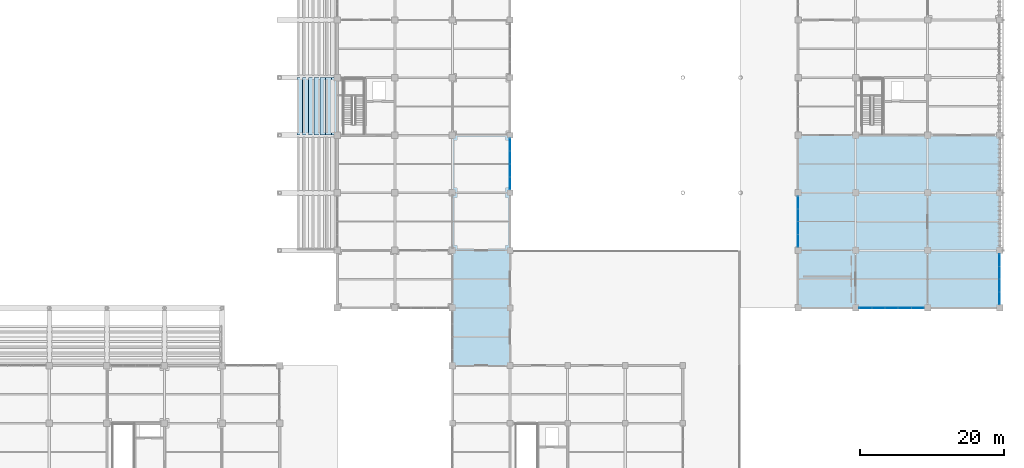
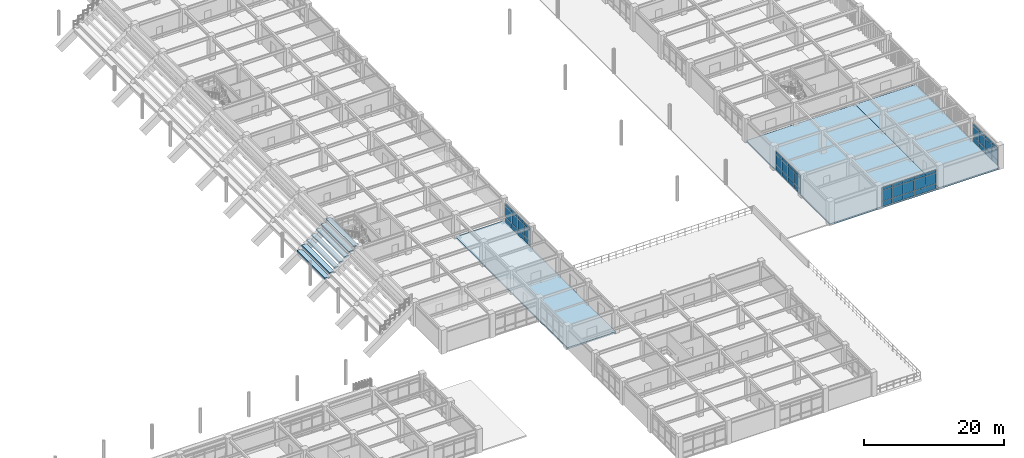
# One storey, part 74 of 118: 51 plates, 10 slabs, 4 elements without a shape of their own.
"""IFC4 building model written with IfcOpenShell, lengths in metres."""

from ifc_helpers import new_model, si_unit, direction, frame, origin, origin_2d, place, context, subcontext, project, spatial, polyline, rectangle, outline, extrude, material, layer, layer_set, type_object, element, aggregate, save


model = new_model("IFC4")

# Units and contexts
model_context = context("Model", 3, precision=1e-05, world=origin(), true_north=direction((0.0, 1.0)))
body_context = subcontext(model_context, "Body", "Model", "MODEL_VIEW")
ifc_project = project(units=[si_unit("LENGTHUNIT", "METRE"), si_unit("AREAUNIT", "SQUARE_METRE"), si_unit("VOLUMEUNIT", "CUBIC_METRE"), si_unit("PLANEANGLEUNIT", "RADIAN"), si_unit("MASSUNIT", "GRAM", prefix="KILO")], contexts=[model_context])

# Site, building, storey
site_placement = place(None, origin())
site = spatial("IfcSite", under=ifc_project, at=site_placement, CompositionType="ELEMENT")
building_placement = place(site_placement, origin())
building = spatial("IfcBuilding", under=site, at=building_placement, Name="Haebicheon Civic Stadium", CompositionType="ELEMENT")
storey_placement = place(building_placement, frame((0.0, 0.0, 14.39990234375)))
storey = spatial("IfcBuildingStorey", under=building, at=storey_placement, Name="L04", CompositionType="ELEMENT", Elevation=14.39990234375)

# Curtain wall, plates
ifc_material_1 = material(Name="Anodised aluminium and laminated glass", Category="aluminium")
ifc_layer_1 = layer(ifc_material_1, 0.179931640625, Name="Anodised aluminium and laminated glass")
ifc_layer_set_1 = layer_set([ifc_layer_1], Name="Anodised aluminium and laminated glass")
curtain_wall_type_1 = type_object("IfcCurtainWallType", Name="CW-7200x3350", PredefinedType="NOTDEFINED", material=ifc_layer_set_1)
curtain_wall_1_placement = place(storey_placement, origin())
curtain_wall_1 = element("IfcCurtainWall", 1, at=curtain_wall_1_placement, inside=storey, type_object=curtain_wall_type_1, material=ifc_layer_set_1, Name="L04 unitised curtain wall 154", PredefinedType="NOTDEFINED")
ifc_material_2 = material(Name="Double low-e acoustic laminated glass", Category="glass")
ifc_layer_2 = layer(ifc_material_2, 0.035888671875, Name="Double low-e acoustic laminated glass")
ifc_layer_set_2 = layer_set([ifc_layer_2], Name="Double low-e acoustic laminated glass")
plate_type_1 = type_object("IfcPlateType", Name="CWP-GLZ-36", PredefinedType="CURTAIN_PANEL", material=ifc_layer_set_2)
plate_1_placement = place(storey_placement, frame((168.0, 57.31689453125, 0.93505859375), z_axis=(0.0, 0.0, 1.0), x_axis=(0.0, 1.0, 0.0)))
plate_1 = element("IfcPlate", 2, at=plate_1_placement, type_object=plate_type_1, material=ifc_layer_set_2, Name="CW-L04-154 vision panel 1.2", PredefinedType="CURTAIN_PANEL", context=body_context, shape_type="SweptSolid", body=[
    extrude(rectangle(XDim=1.695068359375, YDim=0.035888671875, at=origin_2d()), origin(), (0.0, 0.0, 1.0), 1.830078125),
])
plate_2_placement = place(storey_placement, frame((168.0, 59.10009765625, 0.93505859375), z_axis=(0.0, 0.0, 1.0), x_axis=(0.0, 1.0, 0.0)))
plate_2 = element("IfcPlate", 3, at=plate_2_placement, type_object=plate_type_1, material=ifc_layer_set_2, Name="CW-L04-154 vision panel 2.2", PredefinedType="CURTAIN_PANEL", context=body_context, shape_type="SweptSolid", body=[
    extrude(rectangle(XDim=1.72998046875, YDim=0.035888671875, at=origin_2d()), origin(), (0.0, 0.0, 1.0), 1.830078125),
])
plate_3_placement = place(storey_placement, frame((168.0, 60.89990234375, 0.93505859375), z_axis=(0.0, 0.0, 1.0), x_axis=(0.0, 1.0, 0.0)))
plate_3 = element("IfcPlate", 4, at=plate_3_placement, type_object=plate_type_1, material=ifc_layer_set_2, Name="CW-L04-154 vision panel 3.2", PredefinedType="CURTAIN_PANEL", context=body_context, shape_type="SweptSolid", body=[
    extrude(rectangle(XDim=1.72998046875, YDim=0.035888671875, at=origin_2d()), origin(), (0.0, 0.0, 1.0), 1.830078125),
])
plate_4_placement = place(storey_placement, frame((168.0, 62.68310546875, 0.93505859375), z_axis=(0.0, 0.0, 1.0), x_axis=(0.0, 1.0, 0.0)))
plate_4 = element("IfcPlate", 5, at=plate_4_placement, type_object=plate_type_1, material=ifc_layer_set_2, Name="CW-L04-154 vision panel 4.2", PredefinedType="CURTAIN_PANEL", context=body_context, shape_type="SweptSolid", body=[
    extrude(rectangle(XDim=1.695068359375, YDim=0.035888671875, at=origin_2d()), origin(), (0.0, 0.0, 1.0), 1.830078125),
])

ifc_material_3 = material(Name="Anodised aluminium and laminated glass", Category="aluminium")
ifc_layer_3 = layer(ifc_material_3, 0.179931640625, Name="Anodised aluminium and laminated glass")
ifc_layer_set_3 = layer_set([ifc_layer_3], Name="Anodised aluminium and laminated glass")
curtain_wall_type_2 = type_object("IfcCurtainWallType", Name="CW-7100x3330", PredefinedType="NOTDEFINED", material=ifc_layer_set_3)
curtain_wall_2_placement = place(storey_placement, origin())
curtain_wall_2 = element("IfcCurtainWall", 6, at=curtain_wall_2_placement, inside=storey, type_object=curtain_wall_type_2, material=ifc_layer_set_3, Name="L04 unitised curtain wall 169", PredefinedType="NOTDEFINED")
plate_5_placement = place(storey_placement, frame((208.0, 49.35498046875, 0.93505859375), z_axis=(0.0, 0.0, 1.0), x_axis=(0.0, 1.0, 0.0)))
plate_5 = element("IfcPlate", 7, at=plate_5_placement, type_object=plate_type_1, material=ifc_layer_set_2, Name="CW-L04-169 vision panel 1.2", PredefinedType="CURTAIN_PANEL", context=body_context, shape_type="SweptSolid", body=[
    extrude(rectangle(XDim=1.669921875, YDim=0.035888671875, at=origin_2d()), origin(), (0.0, 0.0, 1.0), 1.81005859375),
])
plate_6_placement = place(storey_placement, frame((208.0, 51.112060546875, 0.93505859375), z_axis=(0.0, 0.0, 1.0), x_axis=(0.0, 1.0, 0.0)))
plate_6 = element("IfcPlate", 8, at=plate_6_placement, type_object=plate_type_1, material=ifc_layer_set_2, Name="CW-L04-169 vision panel 2.2", PredefinedType="CURTAIN_PANEL", context=body_context, shape_type="SweptSolid", body=[
    extrude(rectangle(XDim=1.705078125, YDim=0.035888671875, at=origin_2d()), origin(), (0.0, 0.0, 1.0), 1.81005859375),
])
plate_7_placement = place(storey_placement, frame((208.0, 52.887939453125, 0.93505859375), z_axis=(0.0, 0.0, 1.0), x_axis=(0.0, 1.0, 0.0)))
plate_7 = element("IfcPlate", 9, at=plate_7_placement, type_object=plate_type_1, material=ifc_layer_set_2, Name="CW-L04-169 vision panel 3.2", PredefinedType="CURTAIN_PANEL", context=body_context, shape_type="SweptSolid", body=[
    extrude(rectangle(XDim=1.705078125, YDim=0.035888671875, at=origin_2d()), origin(), (0.0, 0.0, 1.0), 1.81005859375),
])
plate_8_placement = place(storey_placement, frame((208.0, 54.64501953125, 0.93505859375), z_axis=(0.0, 0.0, 1.0), x_axis=(0.0, 1.0, 0.0)))
plate_8 = element("IfcPlate", 10, at=plate_8_placement, type_object=plate_type_1, material=ifc_layer_set_2, Name="CW-L04-169 vision panel 4.2", PredefinedType="CURTAIN_PANEL", context=body_context, shape_type="SweptSolid", body=[
    extrude(rectangle(XDim=1.669921875, YDim=0.035888671875, at=origin_2d()), origin(), (0.0, 0.0, 1.0), 1.81005859375),
])

ifc_material_4 = material(Name="Anodised aluminium and laminated glass", Category="aluminium")
ifc_layer_4 = layer(ifc_material_4, 0.179931640625, Name="Anodised aluminium and laminated glass")
ifc_layer_set_4 = layer_set([ifc_layer_4], Name="Anodised aluminium and laminated glass")
curtain_wall_type_3 = type_object("IfcCurtainWallType", Name="CW-9100x3350", PredefinedType="NOTDEFINED", material=ifc_layer_set_4)
curtain_wall_3_placement = place(storey_placement, origin())
curtain_wall_3 = element("IfcCurtainWall", 11, at=curtain_wall_3_placement, inside=storey, type_object=curtain_wall_type_3, material=ifc_layer_set_4, Name="L04 unitised curtain wall 175", PredefinedType="NOTDEFINED")
plate_9_placement = place(storey_placement, frame((217.3779296875, 40.0, 0.93505859375), z_axis=(0.0, 0.0, 1.0), x_axis=(1.0, 0.0, 0.0)))
plate_9 = element("IfcPlate", 12, at=plate_9_placement, type_object=plate_type_1, material=ifc_layer_set_2, Name="CW-L04-175 vision panel 1.2", PredefinedType="CURTAIN_PANEL", context=body_context, shape_type="SweptSolid", body=[
    extrude(rectangle(XDim=1.715087890625, YDim=0.035888671875, at=origin_2d()), origin(), (0.0, 0.0, 1.0), 1.830078125),
])
plate_10_placement = place(storey_placement, frame((219.179931640625, 40.0, 0.93505859375), z_axis=(0.0, 0.0, 1.0), x_axis=(1.0, 0.0, 0.0)))
plate_10 = element("IfcPlate", 13, at=plate_10_placement, type_object=plate_type_1, material=ifc_layer_set_2, Name="CW-L04-175 vision panel 2.2", PredefinedType="CURTAIN_PANEL", context=body_context, shape_type="SweptSolid", body=[
    extrude(rectangle(XDim=1.75, YDim=0.035888671875, at=origin_2d()), origin(), (0.0, 0.0, 1.0), 1.830078125),
])
plate_11_placement = place(storey_placement, frame((221.0, 40.0, 0.93505859375), z_axis=(0.0, 0.0, 1.0), x_axis=(1.0, 0.0, 0.0)))
plate_11 = element("IfcPlate", 14, at=plate_11_placement, type_object=plate_type_1, material=ifc_layer_set_2, Name="CW-L04-175 vision panel 3.2", PredefinedType="CURTAIN_PANEL", context=body_context, shape_type="SweptSolid", body=[
    extrude(rectangle(XDim=1.75, YDim=0.035888671875, at=origin_2d()), origin(), (0.0, 0.0, 1.0), 1.830078125),
])
plate_12_placement = place(storey_placement, frame((222.820068359375, 40.0, 0.93505859375), z_axis=(0.0, 0.0, 1.0), x_axis=(1.0, 0.0, 0.0)))
plate_12 = element("IfcPlate", 15, at=plate_12_placement, type_object=plate_type_1, material=ifc_layer_set_2, Name="CW-L04-175 vision panel 4.2", PredefinedType="CURTAIN_PANEL", context=body_context, shape_type="SweptSolid", body=[
    extrude(rectangle(XDim=1.75, YDim=0.035888671875, at=origin_2d()), origin(), (0.0, 0.0, 1.0), 1.830078125),
])
plate_13_placement = place(storey_placement, frame((224.6220703125, 40.0, 0.93505859375), z_axis=(0.0, 0.0, 1.0), x_axis=(1.0, 0.0, 0.0)))
plate_13 = element("IfcPlate", 16, at=plate_13_placement, type_object=plate_type_1, material=ifc_layer_set_2, Name="CW-L04-175 vision panel 5.2", PredefinedType="CURTAIN_PANEL", context=body_context, shape_type="SweptSolid", body=[
    extrude(rectangle(XDim=1.715087890625, YDim=0.035888671875, at=origin_2d()), origin(), (0.0, 0.0, 1.0), 1.830078125),
])

ifc_material_5 = material(Name="Anodised aluminium and laminated glass", Category="aluminium")
ifc_layer_5 = layer(ifc_material_5, 0.179931640625, Name="Anodised aluminium and laminated glass")
ifc_layer_set_5 = layer_set([ifc_layer_5], Name="Anodised aluminium and laminated glass")
curtain_wall_type_4 = type_object("IfcCurtainWallType", Name="CW-7100x3230", PredefinedType="NOTDEFINED", material=ifc_layer_set_5)
curtain_wall_4_placement = place(storey_placement, origin())
curtain_wall_4 = element("IfcCurtainWall", 17, at=curtain_wall_4_placement, inside=storey, type_object=curtain_wall_type_4, material=ifc_layer_set_5, Name="L04 unitised curtain wall 177", PredefinedType="NOTDEFINED")
plate_14_placement = place(storey_placement, frame((236.0, 41.35498046875, 0.93505859375), z_axis=(0.0, 0.0, 1.0), x_axis=(0.0, 1.0, 0.0)))
plate_14 = element("IfcPlate", 18, at=plate_14_placement, type_object=plate_type_1, material=ifc_layer_set_2, Name="CW-L04-177 vision panel 1.2", PredefinedType="CURTAIN_PANEL", context=body_context, shape_type="SweptSolid", body=[
    extrude(rectangle(XDim=1.669921875, YDim=0.035888671875, at=origin_2d()), origin(), (0.0, 0.0, 1.0), 1.7099609375),
])
plate_15_placement = place(storey_placement, frame((236.0, 43.112060546875, 0.93505859375), z_axis=(0.0, 0.0, 1.0), x_axis=(0.0, 1.0, 0.0)))
plate_15 = element("IfcPlate", 19, at=plate_15_placement, type_object=plate_type_1, material=ifc_layer_set_2, Name="CW-L04-177 vision panel 2.2", PredefinedType="CURTAIN_PANEL", context=body_context, shape_type="SweptSolid", body=[
    extrude(rectangle(XDim=1.705078125, YDim=0.035888671875, at=origin_2d()), origin(), (0.0, 0.0, 1.0), 1.7099609375),
])
plate_16_placement = place(storey_placement, frame((236.0, 44.887939453125, 0.93505859375), z_axis=(0.0, 0.0, 1.0), x_axis=(0.0, 1.0, 0.0)))
plate_16 = element("IfcPlate", 20, at=plate_16_placement, type_object=plate_type_1, material=ifc_layer_set_2, Name="CW-L04-177 vision panel 3.2", PredefinedType="CURTAIN_PANEL", context=body_context, shape_type="SweptSolid", body=[
    extrude(rectangle(XDim=1.705078125, YDim=0.035888671875, at=origin_2d()), origin(), (0.0, 0.0, 1.0), 1.7099609375),
])
plate_17_placement = place(storey_placement, frame((236.0, 46.64501953125, 0.93505859375), z_axis=(0.0, 0.0, 1.0), x_axis=(0.0, 1.0, 0.0)))
plate_17 = element("IfcPlate", 21, at=plate_17_placement, type_object=plate_type_1, material=ifc_layer_set_2, Name="CW-L04-177 vision panel 4.2", PredefinedType="CURTAIN_PANEL", context=body_context, shape_type="SweptSolid", body=[
    extrude(rectangle(XDim=1.669921875, YDim=0.035888671875, at=origin_2d()), origin(), (0.0, 0.0, 1.0), 1.7099609375),
])

# Plate
ifc_material_6 = material(Name="Anodised aluminium 6063-T6", Category="aluminium")
ifc_layer_6 = layer(ifc_material_6, 0.053955078125, Name="Anodised aluminium 6063-T6")
ifc_layer_set_6 = layer_set([ifc_layer_6], Name="Anodised aluminium 6063-T6")
plate_type_2 = type_object("IfcPlateType", Name="CWP-SPD-54", PredefinedType="CURTAIN_PANEL", material=ifc_layer_set_6)
plate_18_placement = place(storey_placement, frame((168.0, 57.31689453125, 0.03515625), z_axis=(0.0, 0.0, 1.0), x_axis=(0.0, 1.0, 0.0)))
plate_18 = element("IfcPlate", 22, at=plate_18_placement, type_object=plate_type_2, material=ifc_layer_set_6, Name="CW-L04-154 spandrel panel 1.1", PredefinedType="CURTAIN_PANEL", context=body_context, shape_type="SweptSolid", body=[
    extrude(rectangle(XDim=1.695068359375, YDim=0.053955078125, at=origin_2d()), origin(), (0.0, 0.0, 1.0), 0.830078125),
])

plate_19_placement = place(storey_placement, frame((168.0, 57.31689453125, 2.835205078125), z_axis=(0.0, 0.0, 1.0), x_axis=(0.0, 1.0, 0.0)))
plate_19 = element("IfcPlate", 23, at=plate_19_placement, type_object=plate_type_2, material=ifc_layer_set_6, Name="CW-L04-154 spandrel panel 1.3", PredefinedType="CURTAIN_PANEL", context=body_context, shape_type="SweptSolid", body=[
    extrude(rectangle(XDim=1.695068359375, YDim=0.053955078125, at=origin_2d()), origin(), (0.0, 0.0, 1.0), 0.47998046875),
])

plate_20_placement = place(storey_placement, frame((168.0, 59.10009765625, 0.03515625), z_axis=(0.0, 0.0, 1.0), x_axis=(0.0, 1.0, 0.0)))
plate_20 = element("IfcPlate", 24, at=plate_20_placement, type_object=plate_type_2, material=ifc_layer_set_6, Name="CW-L04-154 spandrel panel 2.1", PredefinedType="CURTAIN_PANEL", context=body_context, shape_type="SweptSolid", body=[
    extrude(rectangle(XDim=1.72998046875, YDim=0.053955078125, at=origin_2d()), origin(), (0.0, 0.0, 1.0), 0.830078125),
])

plate_21_placement = place(storey_placement, frame((168.0, 59.10009765625, 2.835205078125), z_axis=(0.0, 0.0, 1.0), x_axis=(0.0, 1.0, 0.0)))
plate_21 = element("IfcPlate", 25, at=plate_21_placement, type_object=plate_type_2, material=ifc_layer_set_6, Name="CW-L04-154 spandrel panel 2.3", PredefinedType="CURTAIN_PANEL", context=body_context, shape_type="SweptSolid", body=[
    extrude(rectangle(XDim=1.72998046875, YDim=0.053955078125, at=origin_2d()), origin(), (0.0, 0.0, 1.0), 0.47998046875),
])

plate_22_placement = place(storey_placement, frame((168.0, 60.89990234375, 0.03515625), z_axis=(0.0, 0.0, 1.0), x_axis=(0.0, 1.0, 0.0)))
plate_22 = element("IfcPlate", 26, at=plate_22_placement, type_object=plate_type_2, material=ifc_layer_set_6, Name="CW-L04-154 spandrel panel 3.1", PredefinedType="CURTAIN_PANEL", context=body_context, shape_type="SweptSolid", body=[
    extrude(rectangle(XDim=1.72998046875, YDim=0.053955078125, at=origin_2d()), origin(), (0.0, 0.0, 1.0), 0.830078125),
])

plate_23_placement = place(storey_placement, frame((168.0, 60.89990234375, 2.835205078125), z_axis=(0.0, 0.0, 1.0), x_axis=(0.0, 1.0, 0.0)))
plate_23 = element("IfcPlate", 27, at=plate_23_placement, type_object=plate_type_2, material=ifc_layer_set_6, Name="CW-L04-154 spandrel panel 3.3", PredefinedType="CURTAIN_PANEL", context=body_context, shape_type="SweptSolid", body=[
    extrude(rectangle(XDim=1.72998046875, YDim=0.053955078125, at=origin_2d()), origin(), (0.0, 0.0, 1.0), 0.47998046875),
])

plate_24_placement = place(storey_placement, frame((168.0, 62.68310546875, 0.03515625), z_axis=(0.0, 0.0, 1.0), x_axis=(0.0, 1.0, 0.0)))
plate_24 = element("IfcPlate", 28, at=plate_24_placement, type_object=plate_type_2, material=ifc_layer_set_6, Name="CW-L04-154 spandrel panel 4.1", PredefinedType="CURTAIN_PANEL", context=body_context, shape_type="SweptSolid", body=[
    extrude(rectangle(XDim=1.695068359375, YDim=0.053955078125, at=origin_2d()), origin(), (0.0, 0.0, 1.0), 0.830078125),
])

plate_25_placement = place(storey_placement, frame((168.0, 62.68310546875, 2.835205078125), z_axis=(0.0, 0.0, 1.0), x_axis=(0.0, 1.0, 0.0)))
plate_25 = element("IfcPlate", 29, at=plate_25_placement, type_object=plate_type_2, material=ifc_layer_set_6, Name="CW-L04-154 spandrel panel 4.3", PredefinedType="CURTAIN_PANEL", context=body_context, shape_type="SweptSolid", body=[
    extrude(rectangle(XDim=1.695068359375, YDim=0.053955078125, at=origin_2d()), origin(), (0.0, 0.0, 1.0), 0.47998046875),
])

aggregate(curtain_wall_1, [plate_18, plate_1, plate_19, plate_20, plate_2, plate_21, plate_22, plate_3, plate_23, plate_24, plate_4, plate_25])

plate_26_placement = place(storey_placement, frame((208.0, 49.35498046875, 0.03515625), z_axis=(0.0, 0.0, 1.0), x_axis=(0.0, 1.0, 0.0)))
plate_26 = element("IfcPlate", 30, at=plate_26_placement, type_object=plate_type_2, material=ifc_layer_set_6, Name="CW-L04-169 spandrel panel 1.1", PredefinedType="CURTAIN_PANEL", context=body_context, shape_type="SweptSolid", body=[
    extrude(rectangle(XDim=1.669921875, YDim=0.053955078125, at=origin_2d()), origin(), (0.0, 0.0, 1.0), 0.830078125),
])

plate_27_placement = place(storey_placement, frame((208.0, 49.35498046875, 2.815185546875), z_axis=(0.0, 0.0, 1.0), x_axis=(0.0, 1.0, 0.0)))
plate_27 = element("IfcPlate", 31, at=plate_27_placement, type_object=plate_type_2, material=ifc_layer_set_6, Name="CW-L04-169 spandrel panel 1.3", PredefinedType="CURTAIN_PANEL", context=body_context, shape_type="SweptSolid", body=[
    extrude(rectangle(XDim=1.669921875, YDim=0.053955078125, at=origin_2d()), origin(), (0.0, 0.0, 1.0), 0.47998046875),
])

plate_28_placement = place(storey_placement, frame((208.0, 51.112060546875, 0.03515625), z_axis=(0.0, 0.0, 1.0), x_axis=(0.0, 1.0, 0.0)))
plate_28 = element("IfcPlate", 32, at=plate_28_placement, type_object=plate_type_2, material=ifc_layer_set_6, Name="CW-L04-169 spandrel panel 2.1", PredefinedType="CURTAIN_PANEL", context=body_context, shape_type="SweptSolid", body=[
    extrude(rectangle(XDim=1.705078125, YDim=0.053955078125, at=origin_2d()), origin(), (0.0, 0.0, 1.0), 0.830078125),
])

plate_29_placement = place(storey_placement, frame((208.0, 51.112060546875, 2.815185546875), z_axis=(0.0, 0.0, 1.0), x_axis=(0.0, 1.0, 0.0)))
plate_29 = element("IfcPlate", 33, at=plate_29_placement, type_object=plate_type_2, material=ifc_layer_set_6, Name="CW-L04-169 spandrel panel 2.3", PredefinedType="CURTAIN_PANEL", context=body_context, shape_type="SweptSolid", body=[
    extrude(rectangle(XDim=1.705078125, YDim=0.053955078125, at=origin_2d()), origin(), (0.0, 0.0, 1.0), 0.47998046875),
])

plate_30_placement = place(storey_placement, frame((208.0, 52.887939453125, 0.03515625), z_axis=(0.0, 0.0, 1.0), x_axis=(0.0, 1.0, 0.0)))
plate_30 = element("IfcPlate", 34, at=plate_30_placement, type_object=plate_type_2, material=ifc_layer_set_6, Name="CW-L04-169 spandrel panel 3.1", PredefinedType="CURTAIN_PANEL", context=body_context, shape_type="SweptSolid", body=[
    extrude(rectangle(XDim=1.705078125, YDim=0.053955078125, at=origin_2d()), origin(), (0.0, 0.0, 1.0), 0.830078125),
])

plate_31_placement = place(storey_placement, frame((208.0, 52.887939453125, 2.815185546875), z_axis=(0.0, 0.0, 1.0), x_axis=(0.0, 1.0, 0.0)))
plate_31 = element("IfcPlate", 35, at=plate_31_placement, type_object=plate_type_2, material=ifc_layer_set_6, Name="CW-L04-169 spandrel panel 3.3", PredefinedType="CURTAIN_PANEL", context=body_context, shape_type="SweptSolid", body=[
    extrude(rectangle(XDim=1.705078125, YDim=0.053955078125, at=origin_2d()), origin(), (0.0, 0.0, 1.0), 0.47998046875),
])

plate_32_placement = place(storey_placement, frame((208.0, 54.64501953125, 0.03515625), z_axis=(0.0, 0.0, 1.0), x_axis=(0.0, 1.0, 0.0)))
plate_32 = element("IfcPlate", 36, at=plate_32_placement, type_object=plate_type_2, material=ifc_layer_set_6, Name="CW-L04-169 spandrel panel 4.1", PredefinedType="CURTAIN_PANEL", context=body_context, shape_type="SweptSolid", body=[
    extrude(rectangle(XDim=1.669921875, YDim=0.053955078125, at=origin_2d()), origin(), (0.0, 0.0, 1.0), 0.830078125),
])

plate_33_placement = place(storey_placement, frame((208.0, 54.64501953125, 2.815185546875), z_axis=(0.0, 0.0, 1.0), x_axis=(0.0, 1.0, 0.0)))
plate_33 = element("IfcPlate", 37, at=plate_33_placement, type_object=plate_type_2, material=ifc_layer_set_6, Name="CW-L04-169 spandrel panel 4.3", PredefinedType="CURTAIN_PANEL", context=body_context, shape_type="SweptSolid", body=[
    extrude(rectangle(XDim=1.669921875, YDim=0.053955078125, at=origin_2d()), origin(), (0.0, 0.0, 1.0), 0.47998046875),
])

aggregate(curtain_wall_2, [plate_26, plate_5, plate_27, plate_28, plate_6, plate_29, plate_30, plate_7, plate_31, plate_32, plate_8, plate_33])

plate_34_placement = place(storey_placement, frame((217.3779296875, 40.0, 0.03515625), z_axis=(0.0, 0.0, 1.0), x_axis=(1.0, 0.0, 0.0)))
plate_34 = element("IfcPlate", 38, at=plate_34_placement, type_object=plate_type_2, material=ifc_layer_set_6, Name="CW-L04-175 spandrel panel 1.1", PredefinedType="CURTAIN_PANEL", context=body_context, shape_type="SweptSolid", body=[
    extrude(rectangle(XDim=1.715087890625, YDim=0.053955078125, at=origin_2d()), origin(), (0.0, 0.0, 1.0), 0.830078125),
])

plate_35_placement = place(storey_placement, frame((217.3779296875, 40.0, 2.835205078125), z_axis=(0.0, 0.0, 1.0), x_axis=(1.0, 0.0, 0.0)))
plate_35 = element("IfcPlate", 39, at=plate_35_placement, type_object=plate_type_2, material=ifc_layer_set_6, Name="CW-L04-175 spandrel panel 1.3", PredefinedType="CURTAIN_PANEL", context=body_context, shape_type="SweptSolid", body=[
    extrude(rectangle(XDim=1.715087890625, YDim=0.053955078125, at=origin_2d()), origin(), (0.0, 0.0, 1.0), 0.47998046875),
])

plate_36_placement = place(storey_placement, frame((219.179931640625, 40.0, 0.03515625), z_axis=(0.0, 0.0, 1.0), x_axis=(1.0, 0.0, 0.0)))
plate_36 = element("IfcPlate", 40, at=plate_36_placement, type_object=plate_type_2, material=ifc_layer_set_6, Name="CW-L04-175 spandrel panel 2.1", PredefinedType="CURTAIN_PANEL", context=body_context, shape_type="SweptSolid", body=[
    extrude(rectangle(XDim=1.75, YDim=0.053955078125, at=origin_2d()), origin(), (0.0, 0.0, 1.0), 0.830078125),
])

plate_37_placement = place(storey_placement, frame((219.179931640625, 40.0, 2.835205078125), z_axis=(0.0, 0.0, 1.0), x_axis=(1.0, 0.0, 0.0)))
plate_37 = element("IfcPlate", 41, at=plate_37_placement, type_object=plate_type_2, material=ifc_layer_set_6, Name="CW-L04-175 spandrel panel 2.3", PredefinedType="CURTAIN_PANEL", context=body_context, shape_type="SweptSolid", body=[
    extrude(rectangle(XDim=1.75, YDim=0.053955078125, at=origin_2d()), origin(), (0.0, 0.0, 1.0), 0.47998046875),
])

plate_38_placement = place(storey_placement, frame((221.0, 40.0, 0.03515625), z_axis=(0.0, 0.0, 1.0), x_axis=(1.0, 0.0, 0.0)))
plate_38 = element("IfcPlate", 42, at=plate_38_placement, type_object=plate_type_2, material=ifc_layer_set_6, Name="CW-L04-175 spandrel panel 3.1", PredefinedType="CURTAIN_PANEL", context=body_context, shape_type="SweptSolid", body=[
    extrude(rectangle(XDim=1.75, YDim=0.053955078125, at=origin_2d()), origin(), (0.0, 0.0, 1.0), 0.830078125),
])

plate_39_placement = place(storey_placement, frame((221.0, 40.0, 2.835205078125), z_axis=(0.0, 0.0, 1.0), x_axis=(1.0, 0.0, 0.0)))
plate_39 = element("IfcPlate", 43, at=plate_39_placement, type_object=plate_type_2, material=ifc_layer_set_6, Name="CW-L04-175 spandrel panel 3.3", PredefinedType="CURTAIN_PANEL", context=body_context, shape_type="SweptSolid", body=[
    extrude(rectangle(XDim=1.75, YDim=0.053955078125, at=origin_2d()), origin(), (0.0, 0.0, 1.0), 0.47998046875),
])

plate_40_placement = place(storey_placement, frame((222.820068359375, 40.0, 0.03515625), z_axis=(0.0, 0.0, 1.0), x_axis=(1.0, 0.0, 0.0)))
plate_40 = element("IfcPlate", 44, at=plate_40_placement, type_object=plate_type_2, material=ifc_layer_set_6, Name="CW-L04-175 spandrel panel 4.1", PredefinedType="CURTAIN_PANEL", context=body_context, shape_type="SweptSolid", body=[
    extrude(rectangle(XDim=1.75, YDim=0.053955078125, at=origin_2d()), origin(), (0.0, 0.0, 1.0), 0.830078125),
])

plate_41_placement = place(storey_placement, frame((222.820068359375, 40.0, 2.835205078125), z_axis=(0.0, 0.0, 1.0), x_axis=(1.0, 0.0, 0.0)))
plate_41 = element("IfcPlate", 45, at=plate_41_placement, type_object=plate_type_2, material=ifc_layer_set_6, Name="CW-L04-175 spandrel panel 4.3", PredefinedType="CURTAIN_PANEL", context=body_context, shape_type="SweptSolid", body=[
    extrude(rectangle(XDim=1.75, YDim=0.053955078125, at=origin_2d()), origin(), (0.0, 0.0, 1.0), 0.47998046875),
])

plate_42_placement = place(storey_placement, frame((224.6220703125, 40.0, 0.03515625), z_axis=(0.0, 0.0, 1.0), x_axis=(1.0, 0.0, 0.0)))
plate_42 = element("IfcPlate", 46, at=plate_42_placement, type_object=plate_type_2, material=ifc_layer_set_6, Name="CW-L04-175 spandrel panel 5.1", PredefinedType="CURTAIN_PANEL", context=body_context, shape_type="SweptSolid", body=[
    extrude(rectangle(XDim=1.715087890625, YDim=0.053955078125, at=origin_2d()), origin(), (0.0, 0.0, 1.0), 0.830078125),
])

plate_43_placement = place(storey_placement, frame((224.6220703125, 40.0, 2.835205078125), z_axis=(0.0, 0.0, 1.0), x_axis=(1.0, 0.0, 0.0)))
plate_43 = element("IfcPlate", 47, at=plate_43_placement, type_object=plate_type_2, material=ifc_layer_set_6, Name="CW-L04-175 spandrel panel 5.3", PredefinedType="CURTAIN_PANEL", context=body_context, shape_type="SweptSolid", body=[
    extrude(rectangle(XDim=1.715087890625, YDim=0.053955078125, at=origin_2d()), origin(), (0.0, 0.0, 1.0), 0.47998046875),
])

aggregate(curtain_wall_3, [plate_34, plate_9, plate_35, plate_36, plate_10, plate_37, plate_38, plate_11, plate_39, plate_40, plate_12, plate_41, plate_42, plate_13, plate_43])

plate_44_placement = place(storey_placement, frame((236.0, 41.35498046875, 0.03515625), z_axis=(0.0, 0.0, 1.0), x_axis=(0.0, 1.0, 0.0)))
plate_44 = element("IfcPlate", 48, at=plate_44_placement, type_object=plate_type_2, material=ifc_layer_set_6, Name="CW-L04-177 spandrel panel 1.1", PredefinedType="CURTAIN_PANEL", context=body_context, shape_type="SweptSolid", body=[
    extrude(rectangle(XDim=1.669921875, YDim=0.053955078125, at=origin_2d()), origin(), (0.0, 0.0, 1.0), 0.830078125),
])

plate_45_placement = place(storey_placement, frame((236.0, 41.35498046875, 2.715087890625), z_axis=(0.0, 0.0, 1.0), x_axis=(0.0, 1.0, 0.0)))
plate_45 = element("IfcPlate", 49, at=plate_45_placement, type_object=plate_type_2, material=ifc_layer_set_6, Name="CW-L04-177 spandrel panel 1.3", PredefinedType="CURTAIN_PANEL", context=body_context, shape_type="SweptSolid", body=[
    extrude(rectangle(XDim=1.669921875, YDim=0.053955078125, at=origin_2d()), origin(), (0.0, 0.0, 1.0), 0.47998046875),
])

plate_46_placement = place(storey_placement, frame((236.0, 43.112060546875, 0.03515625), z_axis=(0.0, 0.0, 1.0), x_axis=(0.0, 1.0, 0.0)))
plate_46 = element("IfcPlate", 50, at=plate_46_placement, type_object=plate_type_2, material=ifc_layer_set_6, Name="CW-L04-177 spandrel panel 2.1", PredefinedType="CURTAIN_PANEL", context=body_context, shape_type="SweptSolid", body=[
    extrude(rectangle(XDim=1.705078125, YDim=0.053955078125, at=origin_2d()), origin(), (0.0, 0.0, 1.0), 0.830078125),
])

plate_47_placement = place(storey_placement, frame((236.0, 43.112060546875, 2.715087890625), z_axis=(0.0, 0.0, 1.0), x_axis=(0.0, 1.0, 0.0)))
plate_47 = element("IfcPlate", 51, at=plate_47_placement, type_object=plate_type_2, material=ifc_layer_set_6, Name="CW-L04-177 spandrel panel 2.3", PredefinedType="CURTAIN_PANEL", context=body_context, shape_type="SweptSolid", body=[
    extrude(rectangle(XDim=1.705078125, YDim=0.053955078125, at=origin_2d()), origin(), (0.0, 0.0, 1.0), 0.47998046875),
])

plate_48_placement = place(storey_placement, frame((236.0, 44.887939453125, 0.03515625), z_axis=(0.0, 0.0, 1.0), x_axis=(0.0, 1.0, 0.0)))
plate_48 = element("IfcPlate", 52, at=plate_48_placement, type_object=plate_type_2, material=ifc_layer_set_6, Name="CW-L04-177 spandrel panel 3.1", PredefinedType="CURTAIN_PANEL", context=body_context, shape_type="SweptSolid", body=[
    extrude(rectangle(XDim=1.705078125, YDim=0.053955078125, at=origin_2d()), origin(), (0.0, 0.0, 1.0), 0.830078125),
])

plate_49_placement = place(storey_placement, frame((236.0, 44.887939453125, 2.715087890625), z_axis=(0.0, 0.0, 1.0), x_axis=(0.0, 1.0, 0.0)))
plate_49 = element("IfcPlate", 53, at=plate_49_placement, type_object=plate_type_2, material=ifc_layer_set_6, Name="CW-L04-177 spandrel panel 3.3", PredefinedType="CURTAIN_PANEL", context=body_context, shape_type="SweptSolid", body=[
    extrude(rectangle(XDim=1.705078125, YDim=0.053955078125, at=origin_2d()), origin(), (0.0, 0.0, 1.0), 0.47998046875),
])

plate_50_placement = place(storey_placement, frame((236.0, 46.64501953125, 0.03515625), z_axis=(0.0, 0.0, 1.0), x_axis=(0.0, 1.0, 0.0)))
plate_50 = element("IfcPlate", 54, at=plate_50_placement, type_object=plate_type_2, material=ifc_layer_set_6, Name="CW-L04-177 spandrel panel 4.1", PredefinedType="CURTAIN_PANEL", context=body_context, shape_type="SweptSolid", body=[
    extrude(rectangle(XDim=1.669921875, YDim=0.053955078125, at=origin_2d()), origin(), (0.0, 0.0, 1.0), 0.830078125),
])

plate_51_placement = place(storey_placement, frame((236.0, 46.64501953125, 2.715087890625), z_axis=(0.0, 0.0, 1.0), x_axis=(0.0, 1.0, 0.0)))
plate_51 = element("IfcPlate", 55, at=plate_51_placement, type_object=plate_type_2, material=ifc_layer_set_6, Name="CW-L04-177 spandrel panel 4.3", PredefinedType="CURTAIN_PANEL", context=body_context, shape_type="SweptSolid", body=[
    extrude(rectangle(XDim=1.669921875, YDim=0.053955078125, at=origin_2d()), origin(), (0.0, 0.0, 1.0), 0.47998046875),
])

aggregate(curtain_wall_4, [plate_44, plate_14, plate_45, plate_46, plate_15, plate_47, plate_48, plate_16, plate_49, plate_50, plate_17, plate_51])

# Slabs
ifc_material_7 = material(Name="Concrete C40/50", Category="concrete")
ifc_layer_7 = layer(ifc_material_7, 0.260009765625, Name="Concrete C40/50")
ifc_layer_set_7 = layer_set([ifc_layer_7], Name="Concrete C40/50")
slab_type_1 = type_object("IfcSlabType", Name="SLB-FLR-260", PredefinedType="FLOOR", material=ifc_layer_set_7)
slab_1_placement = place(storey_placement, frame((0.0, 0.0, -0.260009765625)))
element("IfcSlab", 56, at=slab_1_placement, inside=storey, type_object=slab_type_1, material=ifc_layer_set_7, Name="L04 V3 structural slab 1.1", PredefinedType="FLOOR", context=body_context, shape_type="SweptSolid", body=[
    extrude(outline(polyline([(208.0, 48.0), (208.0, 56.0), (208.0, 64.0), (216.0, 64.0), (226.0, 64.0), (226.0, 56.0), (226.0, 48.0), (226.0, 40.0), (216.0, 40.0), (208.0, 40.0), (208.0, 48.0)])), origin(), (0.0, 0.0, 1.0), 0.260009765625),
])
slab_2_placement = place(storey_placement, frame((0.0, 0.0, -0.260009765625)))
element("IfcSlab", 57, at=slab_2_placement, inside=storey, type_object=slab_type_1, material=ifc_layer_set_7, Name="L04 V3 structural slab 5.1", PredefinedType="FLOOR", context=body_context, shape_type="SweptSolid", body=[
    extrude(outline(polyline([(236.0, 40.0), (226.0, 40.0), (226.0, 48.0), (226.0, 56.0), (226.0, 64.0), (236.0, 64.0), (236.0, 56.0), (236.0, 48.0), (236.0, 40.0)])), origin(), (0.0, 0.0, 1.0), 0.260009765625),
])
slab_3_placement = place(storey_placement, frame((0.0, 0.0, -0.260009765625)))
element("IfcSlab", 58, at=slab_3_placement, inside=storey, type_object=slab_type_1, material=ifc_layer_set_7, Name="L04 V4 structural slab 2.1", PredefinedType="FLOOR", context=body_context, shape_type="SweptSolid", body=[
    extrude(outline(polyline([(160.0, 32.0), (160.0, 40.0), (160.0, 48.0), (160.0, 56.0), (160.0, 64.0), (168.0, 64.0), (168.0, 56.0), (168.0, 48.0), (168.0, 40.0), (168.0, 32.0), (160.0, 32.0)])), origin(), (0.0, 0.0, 1.0), 0.260009765625),
])
ifc_material_8 = material(Name="Precast concrete C40/50", Category="concrete")
ifc_layer_8 = layer(ifc_material_8, 0.239990234375, Name="Precast concrete C40/50")
ifc_layer_set_8 = layer_set([ifc_layer_8], Name="Precast concrete C40/50")
slab_type_2 = type_object("IfcSlabType", Name="SLB-TIER-240", PredefinedType="USERDEFINED", material=ifc_layer_set_8)
slab_4_placement = place(storey_placement, frame((0.0, 0.0, 0.093017578125)))
element("IfcSlab", 59, at=slab_4_placement, inside=storey, type_object=slab_type_2, material=ifc_layer_set_8, Name="TIER-E-U precast seating tier bay 3 row-band 4", ObjectType="SEATING TIER", PredefinedType="USERDEFINED", context=body_context, shape_type="SweptSolid", body=[
    extrude(outline(polyline([(138.39990234375, 64.0), (139.199951171875, 64.0), (139.199951171875, 72.0), (138.39990234375, 72.0), (138.39990234375, 64.0)])), origin(), (0.0, 0.0, 1.0), 0.239990234375),
])
slab_5_placement = place(storey_placement, frame((0.0, 0.0, 0.738037109375)))
element("IfcSlab", 60, at=slab_5_placement, inside=storey, type_object=slab_type_2, material=ifc_layer_set_8, Name="TIER-E-U precast seating tier bay 3 row-band 5", ObjectType="SEATING TIER", PredefinedType="USERDEFINED", context=body_context, shape_type="SweptSolid", body=[
    extrude(outline(polyline([(139.199951171875, 64.0), (140.0, 64.0), (140.0, 72.0), (139.199951171875, 72.0), (139.199951171875, 64.0)])), origin(), (0.0, 0.0, 1.0), 0.239990234375),
])
slab_6_placement = place(storey_placement, frame((0.0, 0.0, 1.382080078125)))
element("IfcSlab", 61, at=slab_6_placement, inside=storey, type_object=slab_type_2, material=ifc_layer_set_8, Name="TIER-E-U precast seating tier bay 3 row-band 6", ObjectType="SEATING TIER", PredefinedType="USERDEFINED", context=body_context, shape_type="SweptSolid", body=[
    extrude(outline(polyline([(140.0, 64.0), (140.800048828125, 64.0), (140.800048828125, 72.0), (140.0, 72.0), (140.0, 64.0)])), origin(), (0.0, 0.0, 1.0), 0.239990234375),
])
slab_7_placement = place(storey_placement, frame((0.0, 0.0, 2.027099609375)))
element("IfcSlab", 62, at=slab_7_placement, inside=storey, type_object=slab_type_2, material=ifc_layer_set_8, Name="TIER-E-U precast seating tier bay 3 row-band 7", ObjectType="SEATING TIER", PredefinedType="USERDEFINED", context=body_context, shape_type="SweptSolid", body=[
    extrude(outline(polyline([(140.800048828125, 64.0), (141.60009765625, 64.0), (141.60009765625, 72.0), (140.800048828125, 72.0), (140.800048828125, 64.0)])), origin(), (0.0, 0.0, 1.0), 0.239990234375),
])
slab_8_placement = place(storey_placement, frame((0.0, 0.0, 2.671142578125)))
element("IfcSlab", 63, at=slab_8_placement, inside=storey, type_object=slab_type_2, material=ifc_layer_set_8, Name="TIER-E-U precast seating tier bay 3 row-band 8", ObjectType="SEATING TIER", PredefinedType="USERDEFINED", context=body_context, shape_type="SweptSolid", body=[
    extrude(outline(polyline([(141.60009765625, 64.0), (142.39990234375, 64.0), (142.39990234375, 72.0), (141.60009765625, 72.0), (141.60009765625, 64.0)])), origin(), (0.0, 0.0, 1.0), 0.239990234375),
])
slab_9_placement = place(storey_placement, frame((0.0, 0.0, 3.316162109375)))
element("IfcSlab", 64, at=slab_9_placement, inside=storey, type_object=slab_type_2, material=ifc_layer_set_8, Name="TIER-E-U precast seating tier bay 3 row-band 9", ObjectType="SEATING TIER", PredefinedType="USERDEFINED", context=body_context, shape_type="SweptSolid", body=[
    extrude(outline(polyline([(142.39990234375, 64.0), (143.199951171875, 64.0), (143.199951171875, 72.0), (142.39990234375, 72.0), (142.39990234375, 64.0)])), origin(), (0.0, 0.0, 1.0), 0.239990234375),
])
slab_10_placement = place(storey_placement, frame((0.0, 0.0, 3.960205078125)))
element("IfcSlab", 65, at=slab_10_placement, inside=storey, type_object=slab_type_2, material=ifc_layer_set_8, Name="TIER-E-U precast seating tier bay 3 row-band 10", ObjectType="SEATING TIER", PredefinedType="USERDEFINED", context=body_context, shape_type="SweptSolid", body=[
    extrude(outline(polyline([(143.199951171875, 64.0), (144.0, 64.0), (144.0, 72.0), (143.199951171875, 72.0), (143.199951171875, 64.0)])), origin(), (0.0, 0.0, 1.0), 0.239990234375),
])

save(model, "model.ifc")
